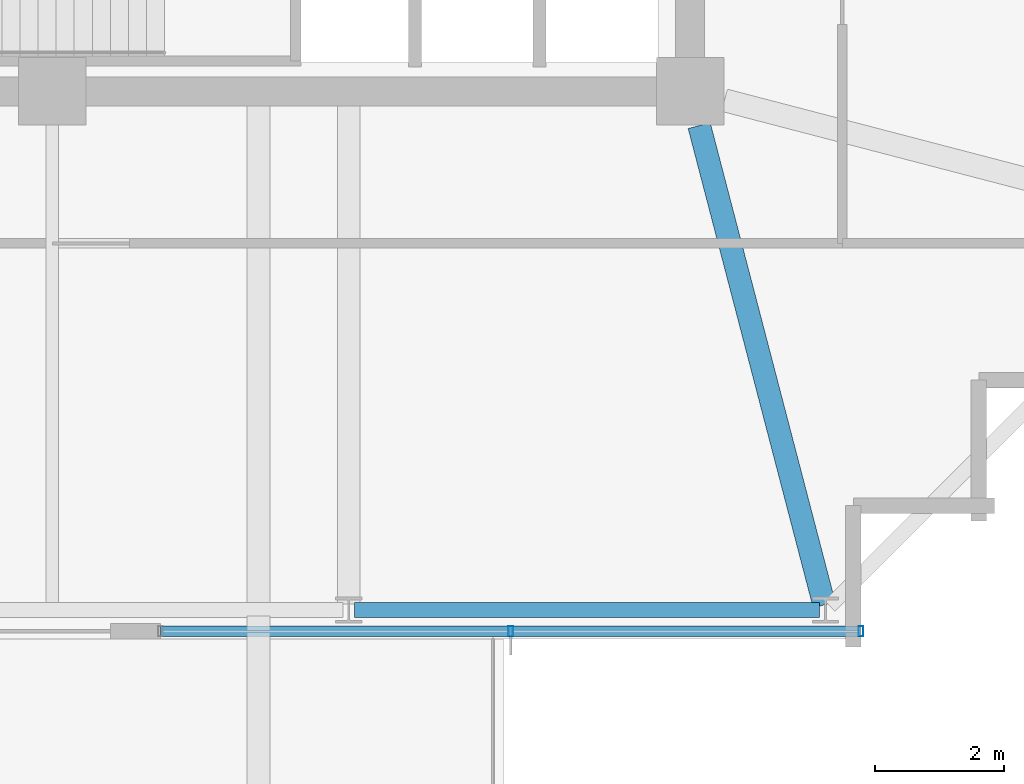
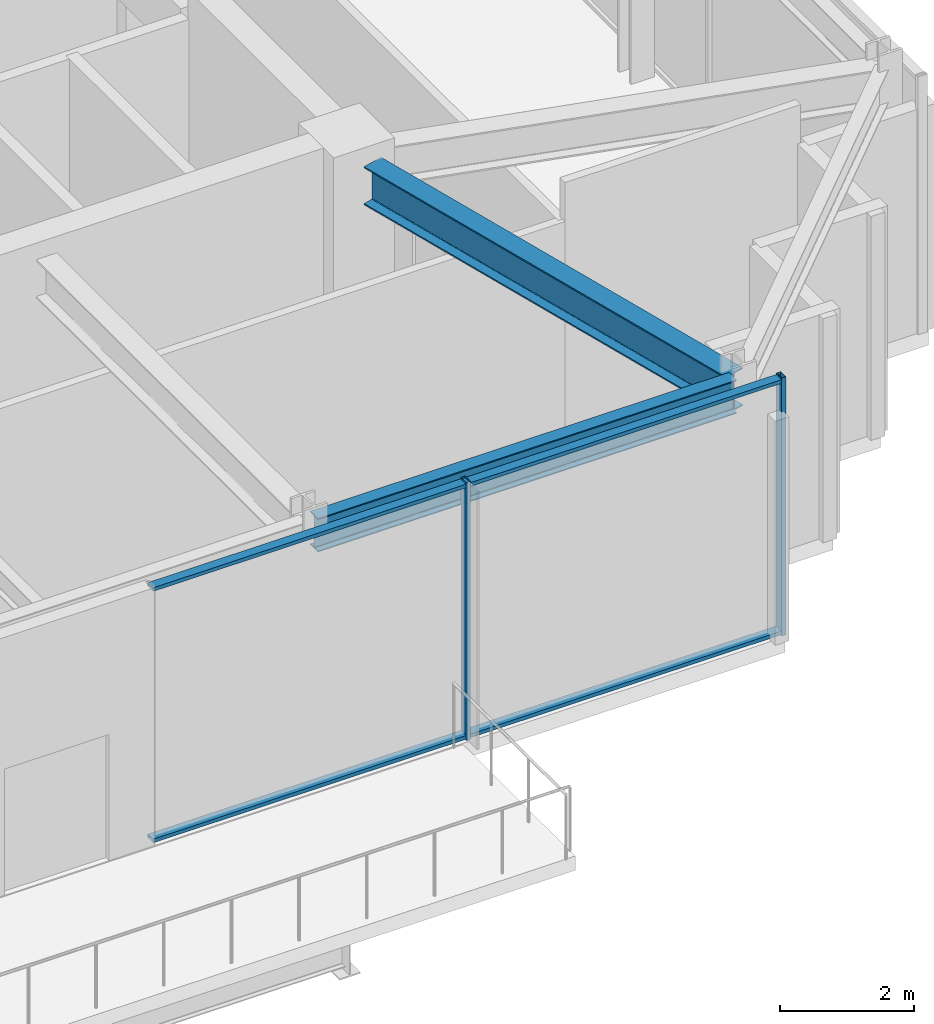
# One storey, part 6 of 31: 4 members, 2 beams, 1 element without a shape of its own.
"""IFC4 building model written with IfcOpenShell, lengths in metres."""

import ifcopenshell
import ifcopenshell.guid

model = None  # the IFC model being written
_history = None  # IfcOwnerHistory: only IFC2X3 demands one
_inside = {}  # id of a spatial element -> (the spatial element, [elements in it])
_under = {}  # id of a project, library or spatial element -> (it, [spatial elements below it])
_declared = {}  # id of a project -> (the project, [libraries it declares])
_typed = {}  # id of a type object -> (the type object, [elements of that type])
_made_of = {}  # id of a material, layer set ... -> (it, [elements and type objects made of it])


def new_model(schema):
    """Start an empty IFC model of exactly this schema.

    Asked for "IFC4X3", IfcOpenShell would pick the latest addendum, in which some entities
    have other attributes; the version numbers below select the first issue.
    IFC2X3 requires an IfcOwnerHistory on every rooted entity: one is made here for all.
    """
    global model, _history
    if schema == "IFC4X3":
        model = ifcopenshell.file(schema_version=(4, 3, 0, 0))
    else:
        model = ifcopenshell.file(schema=schema)
    _inside.clear()
    _under.clear()
    _declared.clear()
    _typed.clear()
    _made_of.clear()
    _history = None
    if model.schema == "IFC2X3":
        org = make("IfcOrganization", Name="unknown")
        user = make(
            "IfcPersonAndOrganization",
            ThePerson=make("IfcPerson", FamilyName="unknown"),
            TheOrganization=org,
        )
        app = make(
            "IfcApplication",
            ApplicationDeveloper=org,
            Version="unknown",
            ApplicationFullName="unknown",
            ApplicationIdentifier="unknown",
        )
        _history = make(
            "IfcOwnerHistory",
            OwningUser=user,
            OwningApplication=app,
            ChangeAction="ADDED",
            CreationDate=0,
        )
    return model


def make(cls, **values):
    """One entity of the class cls with the attributes given. An attribute that is None is left unset."""
    return model.create_entity(
        cls, **{name: value for name, value in values.items() if value is not None}
    )


def rooted(cls, **values):
    """An entity with a GlobalId (a new one), such as an element, a storey or a relation."""
    return make(cls, GlobalId=ifcopenshell.guid.new(), OwnerHistory=_history, **values)


def si_unit(unit_type, name, prefix=None):
    """IfcSIUnit, for example si_unit("LENGTHUNIT", "METRE", prefix="MILLI")."""
    return make("IfcSIUnit", UnitType=unit_type, Prefix=prefix, Name=name)


def assignment(units):
    """IfcUnitAssignment: the units of a project."""
    return None if units is None else make("IfcUnitAssignment", Units=units)


def point(xyz):
    """IfcCartesianPoint."""
    return None if xyz is None else make("IfcCartesianPoint", Coordinates=xyz)


def direction(xyz):
    """IfcDirection."""
    return None if xyz is None else make("IfcDirection", DirectionRatios=xyz)


def frame(location, z_axis=None, x_axis=None):
    """IfcAxis2Placement3D, a coordinate frame: its origin and axes. An axis left out is left unset."""
    return make(
        "IfcAxis2Placement3D",
        Location=point(location),
        Axis=direction(z_axis),
        RefDirection=direction(x_axis),
    )


def frame_2d(location, x_axis=None):
    """IfcAxis2Placement2D, a coordinate frame in the plane: its origin and x axis."""
    return make(
        "IfcAxis2Placement2D", Location=point(location), RefDirection=direction(x_axis)
    )


def origin():
    """The frame at (0, 0, 0) with its axes left unset."""
    return frame((0.0, 0.0, 0.0))


def origin_2d():
    """The frame at (0, 0) in the plane with its x axis left unset."""
    return frame_2d((0.0, 0.0))


def place(relative_to, where):
    """IfcLocalPlacement: puts the frame where relative to a parent placement (None: the world)."""
    return make(
        "IfcLocalPlacement", PlacementRelTo=relative_to, RelativePlacement=where
    )


def context(
    kind, dimensions, precision=None, world=None, true_north=None, identifier=None
):
    """IfcGeometricRepresentationContext, for example the 3D "Model" context."""
    return make(
        "IfcGeometricRepresentationContext",
        ContextIdentifier=identifier,
        ContextType=kind,
        CoordinateSpaceDimension=dimensions,
        Precision=precision,
        WorldCoordinateSystem=world,
        TrueNorth=true_north,
    )


def subcontext(parent, identifier, kind, view, scale=None):
    """IfcGeometricRepresentationSubContext, for example "Body" below "Model"."""
    return make(
        "IfcGeometricRepresentationSubContext",
        ContextIdentifier=identifier,
        ContextType=kind,
        ParentContext=parent,
        TargetScale=scale,
        TargetView=view,
    )


def project(units=None, contexts=None):
    """IfcProject with its units and contexts."""
    return rooted(
        "IfcProject",
        Name="project",
        RepresentationContexts=contexts,
        UnitsInContext=assignment(units),
    )


def spatial(cls, under=None, at=None, **own):
    """A site, building, storey or space (cls), placed at a placement, below another one or the project."""
    s = rooted(cls, ObjectPlacement=at, **own)
    if under is not None:
        _under.setdefault(under.id(), (under, []))[1].append(s)
    return s


def profile(cls, at=None, kind="AREA", **sizes):
    """A parametric profile (cls). Its sizes go by their IFC names, for example OverallWidth=200.0."""
    return make(cls, ProfileType=kind, Position=at, **sizes)


def hollow_rectangle(**sizes):
    """IfcRectangleHollowProfileDef."""
    return profile("IfcRectangleHollowProfileDef", **sizes)


def i_section(**sizes):
    """IfcIShapeProfileDef."""
    return profile("IfcIShapeProfileDef", **sizes)


def extrude(swept, where, along, depth):
    """IfcExtrudedAreaSolid: the profile swept, set in the frame where, extruded along a direction by depth."""
    return make(
        "IfcExtrudedAreaSolid",
        SweptArea=swept,
        Position=where,
        ExtrudedDirection=direction(along),
        Depth=depth,
    )


def shape(context_of_items, identifier, shape_type, items):
    """IfcShapeRepresentation: the items that make up one representation, for example the "Body"."""
    return make(
        "IfcShapeRepresentation",
        ContextOfItems=context_of_items,
        RepresentationIdentifier=identifier,
        RepresentationType=shape_type,
        Items=items,
    )


def material(Name=None, Category=None):
    """IfcMaterial."""
    return make("IfcMaterial", Name=Name, Category=Category)


def material_profile(
    of_material, cross_section, Name=None, Category=None, Priority=None
):
    """IfcMaterialProfile: a cross section and its material."""
    return make(
        "IfcMaterialProfile",
        Name=Name,
        Material=of_material,
        Profile=cross_section,
        Priority=Priority,
        Category=Category,
    )


def profile_set(profiles, Name=None, composite=None):
    """IfcMaterialProfileSet."""
    return make(
        "IfcMaterialProfileSet",
        Name=Name,
        MaterialProfiles=profiles,
        CompositeProfile=composite,
    )


def made_of(thing, what):
    """Note that an element or type object is made of a material, layer set ...; save() writes the relation."""
    if what is not None:
        _made_of.setdefault(what.id(), (what, []))[1].append(thing)
    return thing


def type_object(cls, material=None, **own):
    """A type object (cls), such as IfcWallType, which elements share."""
    return made_of(rooted(cls, **own), material)


def element(
    cls,
    number,
    at=None,
    inside=None,
    cuts=None,
    type_object=None,
    material=None,
    context=None,
    identifier="Body",
    shape_type=None,
    held_by="IfcProductDefinitionShape",
    body=None,
    shapes=None,
    **own,
):
    """One element of the class cls, such as IfcWall. Its Tag is "e" and its number.

    at: its placement. inside: the storey or other place that contains it. cuts: it is an
    opening in that element (IfcRelVoidsElement). A single representation is given by context,
    identifier, shape_type and body (its items); several are given by shapes. held_by: the class
    of the entity that holds the representations. save() writes the other relations.
    """
    e = rooted(cls, Tag="e%d" % number, ObjectPlacement=at, **own)
    if body is not None:
        shapes = [shape(context, identifier, shape_type, body)]
    if shapes is not None:
        e.Representation = make(held_by, Representations=shapes)
    if inside is not None:
        _inside.setdefault(inside.id(), (inside, []))[1].append(e)
    if cuts is not None:
        rooted(
            "IfcRelVoidsElement", RelatingBuildingElement=cuts, RelatedOpeningElement=e
        )
    if type_object is not None:
        _typed.setdefault(type_object.id(), (type_object, []))[1].append(e)
    return made_of(e, material)


def aggregate(whole, parts):
    """IfcRelAggregates: a whole, such as a stair, and the parts it consists of."""
    return rooted("IfcRelAggregates", RelatingObject=whole, RelatedObjects=parts)


def save(model, path):
    """Write the relations noted so far, then the file.

    IfcRelAggregates (storeys below a building ...), IfcRelContainedInSpatialStructure (elements
    in a storey), IfcRelDefinesByType, IfcRelAssociatesMaterial and IfcRelDeclares: one each for
    every whole, place, type object, material and project.
    """
    for whole, parts in _under.values():
        aggregate(whole, parts)
    for where, things in _inside.values():
        rooted(
            "IfcRelContainedInSpatialStructure",
            RelatedElements=things,
            RelatingStructure=where,
        )
    for kind, things in _typed.values():
        rooted("IfcRelDefinesByType", RelatedObjects=things, RelatingType=kind)
    for what, things in _made_of.values():
        rooted("IfcRelAssociatesMaterial", RelatedObjects=things, RelatingMaterial=what)
    for by, libraries in _declared.values():
        rooted("IfcRelDeclares", RelatingContext=by, RelatedDefinitions=libraries)
    model.write(path)


model = new_model("IFC4")

# Units and contexts
model_context = context("Model", 3, precision=1e-05, world=origin(), true_north=direction((0.0, 1.0)))
body_context = subcontext(model_context, "Body", "Model", "MODEL_VIEW")
ifc_project = project(units=[si_unit("LENGTHUNIT", "METRE"), si_unit("AREAUNIT", "SQUARE_METRE"), si_unit("VOLUMEUNIT", "CUBIC_METRE"), si_unit("PLANEANGLEUNIT", "RADIAN"), si_unit("MASSUNIT", "GRAM", prefix="KILO")], contexts=[model_context])

# Site, building, storey
site_placement = place(None, origin())
site = spatial("IfcSite", under=ifc_project, at=site_placement, CompositionType="ELEMENT")
building_placement = place(site_placement, origin())
building = spatial("IfcBuilding", under=site, at=building_placement, Name="Kolvaren Belvedere", CompositionType="ELEMENT")
storey_placement = place(building_placement, frame((0.0, 0.0, 267.39990234375)))
storey = spatial("IfcBuildingStorey", under=building, at=storey_placement, Name="L77", CompositionType="ELEMENT", Elevation=267.39990234375)

# Beams
ifc_material_1 = material(Name="Structural steel ASTM A992 Grade 50", Category="steel")
ifc_material_profile_1 = material_profile(ifc_material_1, i_section(OverallWidth=0.35498046875, OverallDepth=0.696044921875, WebThickness=0.015380859375, FlangeThickness=0.02490234375, FilletRadius=0.02197265625, at=origin_2d()), Name="W27X146")
ifc_profile_set_1 = profile_set([ifc_material_profile_1], Name="Structural steel ASTM A992 Grade 50")
beam_type_1 = type_object("IfcBeamType", Name="BM-GIRD-W27X146", PredefinedType="BEAM", material=ifc_profile_set_1)
beam_1_placement = place(storey_placement, frame((10.038818359375, -10.43212890625, 4.35205078125), z_axis=(0.252430946281, -0.967614911708, 0.0), x_axis=(0.967614911708, 0.252430946281, 0.0)))
element("IfcBeam", 1, at=beam_1_placement, inside=storey, type_object=beam_type_1, Name="L77 Corner Core-to-Perimeter Girder CC2-S4", PredefinedType="BEAM", context=body_context, shape_type="SweptSolid", body=[
    extrude(i_section(OverallWidth=0.35498046875, OverallDepth=0.696044921875, WebThickness=0.015380859375, FlangeThickness=0.02490234375, FilletRadius=0.02197265625, at=origin_2d()), origin(), (0.0, 0.0, 1.0), 7.68798828125),
])
ifc_material_2 = material(Name="Structural steel ASTM A992 Grade 50", Category="steel")
ifc_material_profile_2 = material_profile(ifc_material_2, i_section(OverallWidth=0.22900390625, OverallDepth=0.612060546875, WebThickness=0.011962890625, FlangeThickness=0.01953125, FilletRadius=0.01806640625, at=origin_2d()), Name="W24X84")
ifc_profile_set_2 = profile_set([ifc_material_profile_2], Name="Structural steel ASTM A992 Grade 50")
beam_type_2 = type_object("IfcBeamType", Name="BM-SPAN-W24X84", PredefinedType="SPANDREL", material=ifc_profile_set_2)
beam_2_placement = place(storey_placement, frame((4.691650390625, -17.949951171875, 4.39404296875), z_axis=(1.0, 0.0, 0.0), x_axis=(0.0, 1.0, 0.0)))
element("IfcBeam", 2, at=beam_2_placement, inside=storey, type_object=beam_type_2, Name="L77 Perimeter Spandrel S3-S4", PredefinedType="SPANDREL", context=body_context, shape_type="SweptSolid", body=[
    extrude(i_section(OverallWidth=0.22900390625, OverallDepth=0.612060546875, WebThickness=0.011962890625, FlangeThickness=0.01953125, FilletRadius=0.01806640625, at=origin_2d()), origin(), (0.0, 0.0, 1.0), 7.216796875),
])

# Curtain wall, members
ifc_material_3 = material(Name="Anodised pale-metal aluminium AA 6063-T6", Category="aluminium")
curtain_wall_type = type_object("IfcCurtainWallType", Name="CW-CRN-OBS", PredefinedType="NOTDEFINED", material=ifc_material_3)
curtain_wall_placement = place(storey_placement, origin())
curtain_wall = element("IfcCurtainWall", 3, at=curtain_wall_placement, inside=storey, type_object=curtain_wall_type, Name="L77 Unitised Curtain Wall FCW-L77-S1", PredefinedType="NOTDEFINED")
ifc_material_4 = material(Name="Anodised pale-metal aluminium AA 6063-T6", Category="aluminium")
ifc_material_profile_3 = material_profile(ifc_material_4, hollow_rectangle(XDim=0.074951171875, YDim=0.159912109375, WallThickness=0.00439453125, at=origin_2d()), Name="ALU-MUL-160X75")
ifc_profile_set_3 = profile_set([ifc_material_profile_3], Name="Anodised pale-metal aluminium AA 6063-T6")
member_type_1 = type_object("IfcMemberType", Name="CW-MUL-160", PredefinedType="MULLION", material=ifc_profile_set_3)
member_1_placement = place(storey_placement, frame((12.550048828125, -18.280029296875, 0.0), z_axis=(0.0, 0.0, 1.0), x_axis=(1.0, 0.0, 0.0)))
member_1 = element("IfcMember", 4, at=member_1_placement, type_object=member_type_1, Name="FCW-L77-S1 Unitised Mullion 1", PredefinedType="MULLION", context=body_context, shape_type="SweptSolid", body=[
    extrude(hollow_rectangle(XDim=0.074951171875, YDim=0.159912109375, WallThickness=0.00439453125, at=origin_2d()), origin(), (0.0, 0.0, 1.0), 4.7001953125),
])
member_2_placement = place(storey_placement, frame((7.114990234375, -18.280029296875, 0.0), z_axis=(0.0, 0.0, 1.0), x_axis=(1.0, 0.0, 0.0)))
member_2 = element("IfcMember", 5, at=member_2_placement, type_object=member_type_1, Name="FCW-L77-S1 Unitised Mullion 2", PredefinedType="MULLION", context=body_context, shape_type="SweptSolid", body=[
    extrude(hollow_rectangle(XDim=0.074951171875, YDim=0.159912109375, WallThickness=0.00439453125, at=origin_2d()), origin(), (0.0, 0.0, 1.0), 4.7001953125),
])
ifc_material_5 = material(Name="Anodised pale-metal aluminium AA 6063-T6", Category="aluminium")
ifc_material_profile_4 = material_profile(ifc_material_5, hollow_rectangle(XDim=0.06494140625, YDim=0.159912109375, WallThickness=0.00390625, at=origin_2d()), Name="ALU-TRN-160X65")
ifc_profile_set_4 = profile_set([ifc_material_profile_4], Name="Anodised pale-metal aluminium AA 6063-T6")
member_type_2 = type_object("IfcMemberType", Name="CW-TRN-160", PredefinedType="USERDEFINED", material=ifc_profile_set_4)
member_3_placement = place(storey_placement, frame((12.550048828125, -18.280029296875, 0.06005859375), z_axis=(-1.0, 0.0, 0.0), x_axis=(0.0, 0.0, 1.0)))
member_3 = element("IfcMember", 6, at=member_3_placement, type_object=member_type_2, Name="FCW-L77-S1 Sill Transom", ObjectType="TRANSOM", PredefinedType="USERDEFINED", context=body_context, shape_type="SweptSolid", body=[
    extrude(hollow_rectangle(XDim=0.06494140625, YDim=0.159912109375, WallThickness=0.00390625, at=origin_2d()), origin(), (0.0, 0.0, 1.0), 10.8701171875),
])
member_4_placement = place(storey_placement, frame((12.550048828125, -18.280029296875, 4.64013671875), z_axis=(-1.0, 0.0, 0.0), x_axis=(0.0, 0.0, 1.0)))
member_4 = element("IfcMember", 7, at=member_4_placement, type_object=member_type_2, Name="FCW-L77-S1 Head Transom", ObjectType="TRANSOM", PredefinedType="USERDEFINED", context=body_context, shape_type="SweptSolid", body=[
    extrude(hollow_rectangle(XDim=0.06494140625, YDim=0.159912109375, WallThickness=0.00390625, at=origin_2d()), origin(), (0.0, 0.0, 1.0), 10.8701171875),
])
aggregate(curtain_wall, [member_1, member_2, member_3, member_4])

save(model, "model.ifc")
